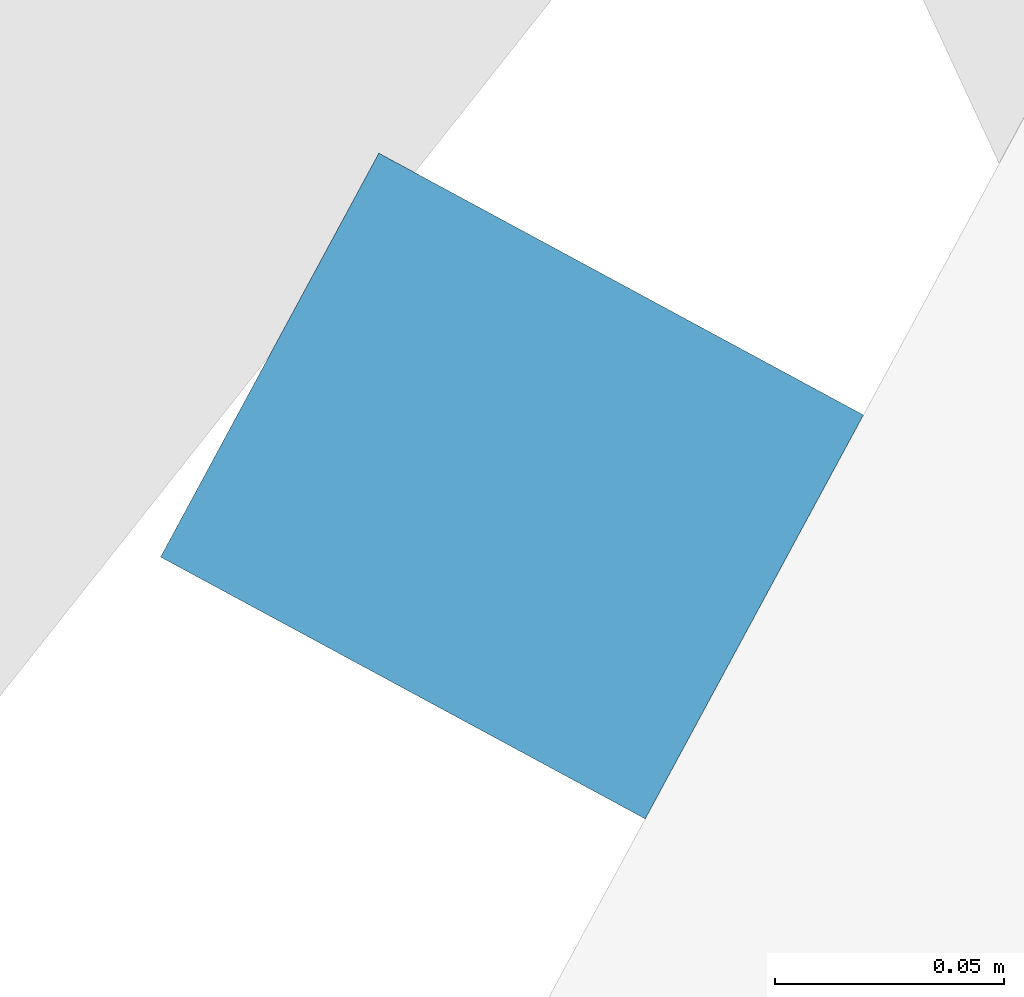
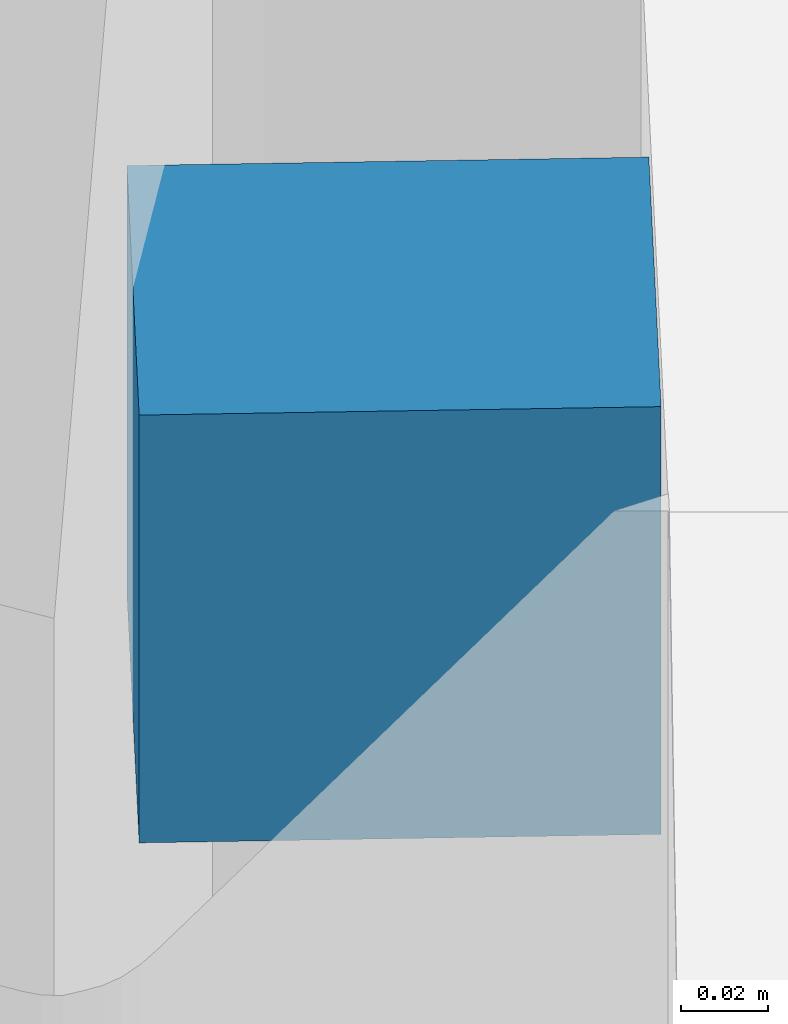
# One storey, part 13 of 19: 1 discrete accessory.
"""IFC4 building model written with IfcOpenShell, lengths in metres."""

from ifc_helpers import new_model, si_unit, direction, frame, origin, origin_2d, place, context, subcontext, project, spatial, rectangle, extrude, material, type_object, element, save


model = new_model("IFC4")

# Units and contexts
model_context = context("Model", 3, precision=1e-05, world=origin(), true_north=direction((0.0, 1.0)))
body_context = subcontext(model_context, "Body", "Model", "MODEL_VIEW")
ifc_project = project(units=[si_unit("LENGTHUNIT", "METRE"), si_unit("AREAUNIT", "SQUARE_METRE"), si_unit("VOLUMEUNIT", "CUBIC_METRE"), si_unit("PLANEANGLEUNIT", "RADIAN"), si_unit("MASSUNIT", "GRAM", prefix="KILO")], contexts=[model_context])

# Site, building, storey
site_placement = place(None, origin())
site = spatial("IfcSite", under=ifc_project, at=site_placement, CompositionType="ELEMENT")
building_placement = place(site_placement, origin())
building = spatial("IfcBuilding", under=site, at=building_placement, Name="Sierra Prisma Convention Tower", CompositionType="ELEMENT")
storey_placement = place(building_placement, frame((0.0, 0.0, 311.0)))
storey = spatial("IfcBuildingStorey", under=building, at=storey_placement, Name="L71", CompositionType="ELEMENT", Elevation=311.0)

# Discrete accessory
ifc_material = material(Name="Stainless steel 316", Category="steel")
discrete_accessory_type = type_object("IfcDiscreteAccessoryType", Name="Fin bracket", PredefinedType="BRACKET", material=ifc_material)
discrete_accessory_placement = place(storey_placement, frame((-19.573486328125, 7.145751953125, -0.135009765625), z_axis=(0.0, 0.0, 1.0), x_axis=(-0.879799056134, 0.475345790794, 0.0)))
element("IfcDiscreteAccessory", 1, at=discrete_accessory_placement, inside=storey, type_object=discrete_accessory_type, Name="Fin bracket L71.55 base", PredefinedType="BRACKET", context=body_context, shape_type="SweptSolid", body=[
    extrude(rectangle(XDim=0.1201171875, YDim=0.10009765625, at=origin_2d()), origin(), (0.0, 0.0, 1.0), 0.1201171875),
])

save(model, "model.ifc")
